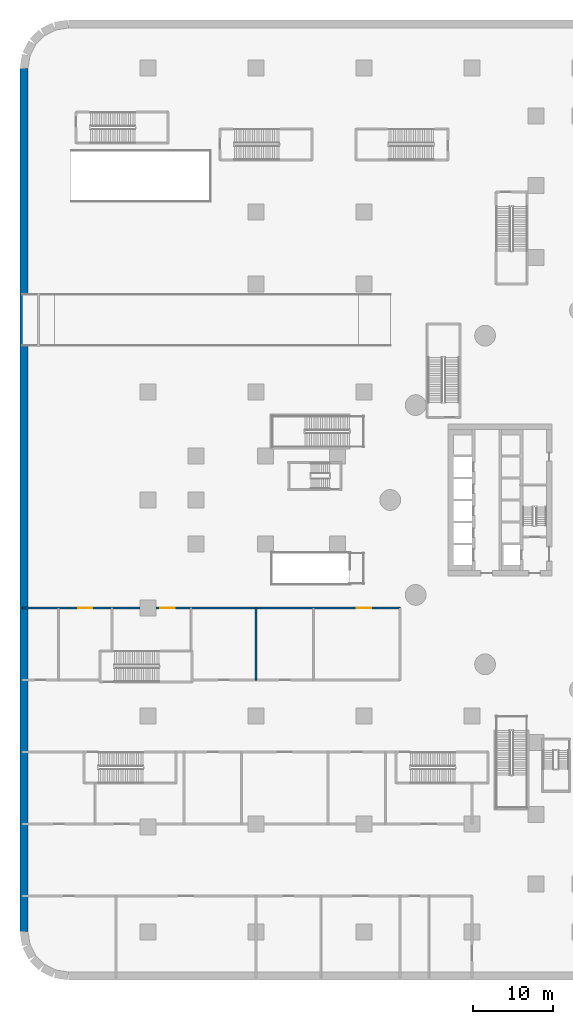
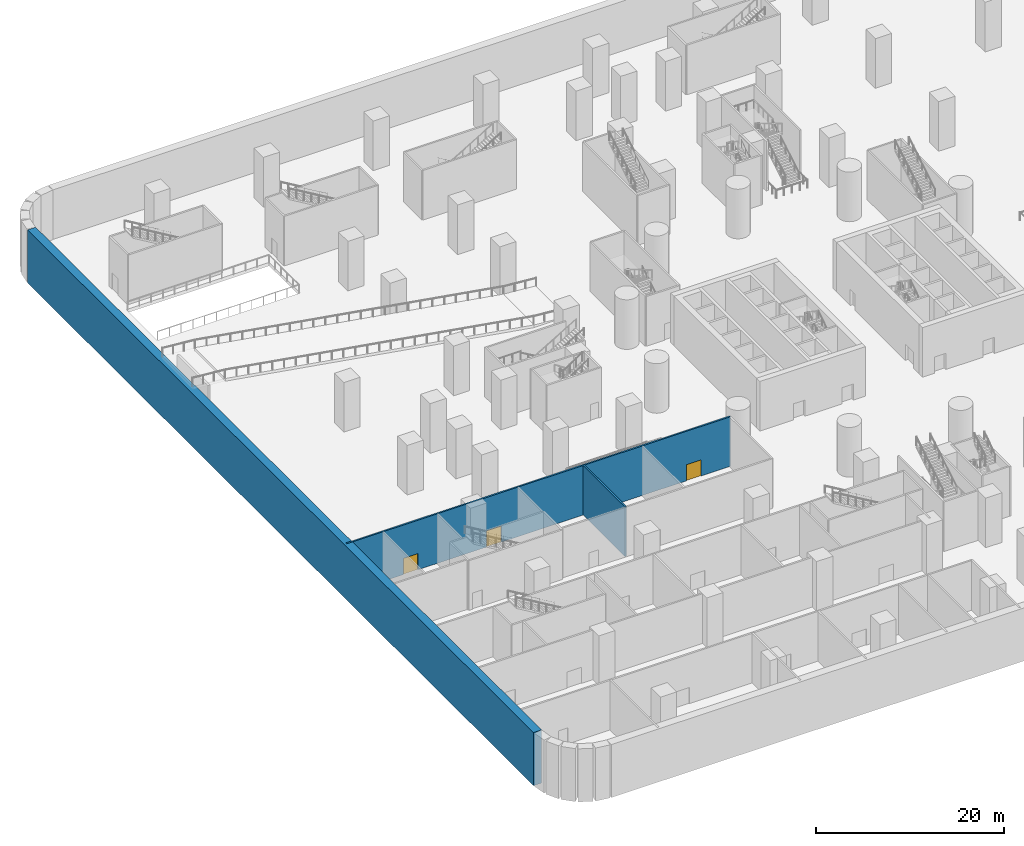
# One storey, part 4 of 37: 3 doors, 3 walls, 3 openings.
"""IFC4 building model written with IfcOpenShell, lengths in metres."""

from ifc_helpers import new_model, si_unit, direction, frame, frame_2d, origin, place, context, subcontext, project, spatial, rectangle, extrude, material, layer, layer_set, type_object, element, fill, save


model = new_model("IFC4")

# Units and contexts
model_context = context("Model", 3, precision=1e-05, world=origin(), true_north=direction((0.0, 1.0)))
body_context = subcontext(model_context, "Body", "Model", "MODEL_VIEW")
ifc_project = project(units=[si_unit("LENGTHUNIT", "METRE"), si_unit("AREAUNIT", "SQUARE_METRE"), si_unit("VOLUMEUNIT", "CUBIC_METRE"), si_unit("PLANEANGLEUNIT", "RADIAN"), si_unit("MASSUNIT", "GRAM", prefix="KILO")], contexts=[model_context])

# Site, building, storey
site_placement = place(None, origin())
site = spatial("IfcSite", under=ifc_project, at=site_placement, CompositionType="ELEMENT")
building_placement = place(site_placement, origin())
building = spatial("IfcBuilding", under=site, at=building_placement, Name="Tamarind Cross Interchange Tower", CompositionType="ELEMENT")
storey_placement = place(building_placement, frame((0.0, 0.0, -7.0)))
storey = spatial("IfcBuildingStorey", under=building, at=storey_placement, Name="B1", CompositionType="ELEMENT", Elevation=-7.0)

# Wall
ifc_material_1 = material(Name="Concrete C40", Category="concrete")
ifc_layer_1 = layer(ifc_material_1, 1.0)
ifc_layer_set_1 = layer_set([ifc_layer_1], Name="Concrete C40")
wall_type_1 = type_object("IfcWallType", Name="Basement wall 1000 Concrete C40", PredefinedType="SOLIDWALL", material=ifc_layer_set_1)
wall_1_placement = place(storey_placement, frame((-69.5, -53.931396484375, -0.449951171875), z_axis=(0.0, 0.0, 1.0), x_axis=(0.0, 1.0, 0.0)))
element("IfcWall", 1, at=wall_1_placement, inside=storey, type_object=wall_type_1, Name="Basement wall B1-7", PredefinedType="SOLIDWALL", context=body_context, shape_type="SweptSolid", body=[
    extrude(rectangle(XDim=107.86279296875, YDim=1.0, at=frame_2d((53.931396484375, 0.0))), origin(), (0.0, 0.0, 1.0), 6.89990234375),
])

# Wall, openings, doors
ifc_material_2 = material(Name="Masonry partition, fire-rated", Category="masonry")
ifc_layer_2 = layer(ifc_material_2, 0.199951171875)
ifc_layer_set_2 = layer_set([ifc_layer_2], Name="Masonry partition, fire-rated")
wall_type_2 = type_object("IfcWallType", Name="Fire partition 200 EI 120", PredefinedType="PARTITIONING", material=ifc_layer_set_2)
wall_2_placement = place(storey_placement, frame((-69.698974609375, -13.5, 0.0), z_axis=(0.0, 0.0, 1.0), x_axis=(1.0, 0.0, 0.0)))
wall_2 = element("IfcWall", 2, at=wall_2_placement, inside=storey, type_object=wall_type_2, Name="B1 partition 65", PredefinedType="PARTITIONING", context=body_context, shape_type="SweptSolid", body=[
    extrude(rectangle(XDim=47.198974609375, YDim=0.199951171875, at=frame_2d((23.599609375, 0.0))), origin(), (0.0, 0.0, 1.0), 6.449951171875),
])
opening_1_placement = place(wall_2_placement, frame((41.81591796875, 0.0, 0.0)))
opening_1 = element("IfcOpeningElement", 3, at=opening_1_placement, cuts=wall_2, Name="Opening DB1-35", PredefinedType="OPENING", context=body_context, shape_type="SweptSolid", body=[
    extrude(rectangle(XDim=1.800048828125, YDim=2.10009765625, at=frame_2d((0.89990234375, 1.050048828125))), frame((0.0, 0.10986328125, 0.0), z_axis=(0.0, -1.0, 0.0), x_axis=(1.0, 0.0, 0.0)), (0.0, 0.0, 1.0), 0.219970703125),
])
opening_2_placement = place(wall_2_placement, frame((17.222900390625, 0.0, 0.0)))
opening_2 = element("IfcOpeningElement", 4, at=opening_2_placement, cuts=wall_2, Name="Opening DB1-37", PredefinedType="OPENING", context=body_context, shape_type="SweptSolid", body=[
    extrude(rectangle(XDim=1.800048828125, YDim=2.10009765625, at=frame_2d((0.89990234375, 1.050048828125))), frame((0.0, 0.10986328125, 0.0), z_axis=(0.0, -1.0, 0.0), x_axis=(1.0, 0.0, 0.0)), (0.0, 0.0, 1.0), 0.219970703125),
])
opening_3_placement = place(wall_2_placement, frame((6.958984375, 0.0, 0.0)))
opening_3 = element("IfcOpeningElement", 5, at=opening_3_placement, cuts=wall_2, Name="Opening DB1-39", PredefinedType="OPENING", context=body_context, shape_type="SweptSolid", body=[
    extrude(rectangle(XDim=1.800048828125, YDim=2.10009765625, at=frame_2d((0.89990234375, 1.050048828125))), frame((0.0, 0.10986328125, 0.0), z_axis=(0.0, -1.0, 0.0), x_axis=(1.0, 0.0, 0.0)), (0.0, 0.0, 1.0), 0.219970703125),
])
ifc_material_3 = material(Name="Steel, fire-resisting", Category="steel")
door_type = type_object("IfcDoorType", Name="Podium door 1800 x 2100 FD60", OperationType="SINGLE_SWING_LEFT", PredefinedType="DOOR", material=ifc_material_3)
door_1_placement = place(opening_1_placement, origin())
door_1 = element("IfcDoor", 6, at=door_1_placement, inside=storey, type_object=door_type, Name="B1 door Newsagent B117", OperationType="SINGLE_SWING_LEFT", OverallHeight=2.10009765625, OverallWidth=1.800048828125, PredefinedType="DOOR", context=body_context, shape_type="SweptSolid", body=[
    extrude(rectangle(XDim=1.800048828125, YDim=2.10009765625, at=frame_2d((0.89990234375, 1.050048828125))), frame((0.0, 0.02490234375, 0.0), z_axis=(0.0, -1.0, 0.0), x_axis=(1.0, 0.0, 0.0)), (0.0, 0.0, 1.0), 0.050048828125),
])
fill(opening_1, door_1)
door_2_placement = place(opening_2_placement, origin())
door_2 = element("IfcDoor", 7, at=door_2_placement, inside=storey, type_object=door_type, Name="B1 door Bakery B119", OperationType="SINGLE_SWING_LEFT", OverallHeight=2.10009765625, OverallWidth=1.800048828125, PredefinedType="DOOR", context=body_context, shape_type="SweptSolid", body=[
    extrude(rectangle(XDim=1.800048828125, YDim=2.10009765625, at=frame_2d((0.89990234375, 1.050048828125))), frame((0.0, 0.02490234375, 0.0), z_axis=(0.0, -1.0, 0.0), x_axis=(1.0, 0.0, 0.0)), (0.0, 0.0, 1.0), 0.050048828125),
])
fill(opening_2, door_2)
door_3_placement = place(opening_3_placement, origin())
door_3 = element("IfcDoor", 8, at=door_3_placement, inside=storey, type_object=door_type, Name="B1 door Phone Shop B121", OperationType="SINGLE_SWING_LEFT", OverallHeight=2.10009765625, OverallWidth=1.800048828125, PredefinedType="DOOR", context=body_context, shape_type="SweptSolid", body=[
    extrude(rectangle(XDim=1.800048828125, YDim=2.10009765625, at=frame_2d((0.89990234375, 1.050048828125))), frame((0.0, 0.02490234375, 0.0), z_axis=(0.0, -1.0, 0.0), x_axis=(1.0, 0.0, 0.0)), (0.0, 0.0, 1.0), 0.050048828125),
])
fill(opening_3, door_3)

# Wall
wall_3_placement = place(storey_placement, frame((-40.5, -22.5, 0.0), z_axis=(0.0, 0.0, 1.0), x_axis=(0.0, 1.0, 0.0)))
element("IfcWall", 9, at=wall_3_placement, inside=storey, type_object=wall_type_2, Name="B1 partition 76", PredefinedType="PARTITIONING", context=body_context, shape_type="SweptSolid", body=[
    extrude(rectangle(XDim=9.0, YDim=0.199951171875, at=frame_2d((4.5, 0.0))), origin(), (0.0, 0.0, 1.0), 6.449951171875),
])

save(model, "model.ifc")
